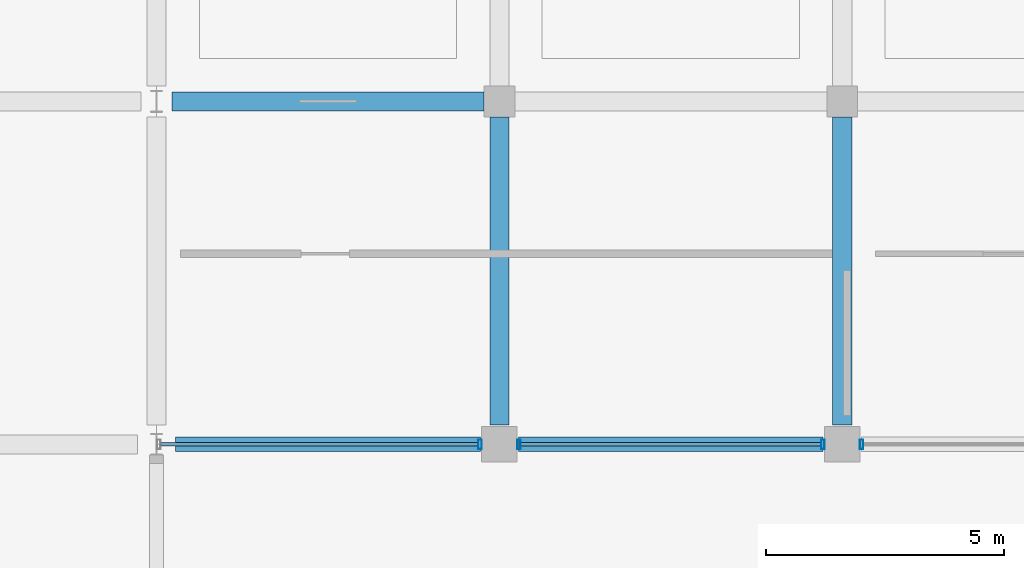
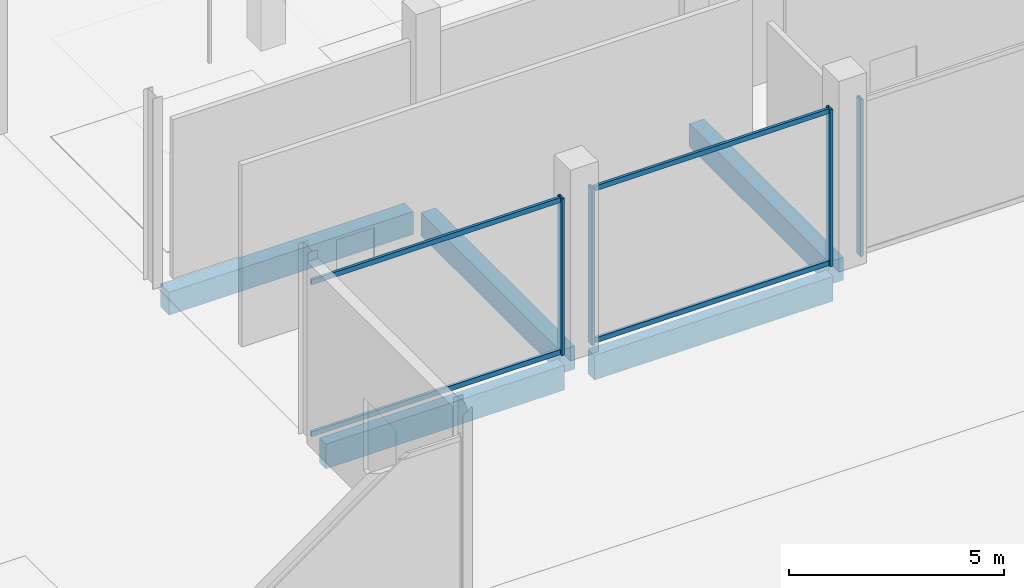
# One storey, part 30 of 90: 8 members, 5 beams, 3 elements without a shape of their own.
"""IFC4 building model written with IfcOpenShell, lengths in metres."""

from ifc_helpers import new_model, si_unit, direction, frame, origin, origin_2d, place, context, subcontext, project, spatial, rectangle, hollow_rectangle, extrude, material, layer, layer_set, material_profile, profile_set, type_object, element, aggregate, save


model = new_model("IFC4")

# Units and contexts
model_context = context("Model", 3, precision=1e-05, world=origin(), true_north=direction((0.0, 1.0)))
body_context = subcontext(model_context, "Body", "Model", "MODEL_VIEW")
ifc_project = project(units=[si_unit("LENGTHUNIT", "METRE"), si_unit("AREAUNIT", "SQUARE_METRE"), si_unit("VOLUMEUNIT", "CUBIC_METRE"), si_unit("PLANEANGLEUNIT", "RADIAN"), si_unit("MASSUNIT", "GRAM", prefix="KILO")], contexts=[model_context])

# Site, building, storey
site_placement = place(None, origin())
site = spatial("IfcSite", under=ifc_project, at=site_placement, CompositionType="ELEMENT")
building_placement = place(site_placement, origin())
building = spatial("IfcBuilding", under=site, at=building_placement, Name="Kangsadwip Square Police Headquarters", CompositionType="ELEMENT")
storey_placement = place(building_placement, origin())
storey = spatial("IfcBuildingStorey", under=building, at=storey_placement, Name="L00", CompositionType="ELEMENT", Elevation=0.0)

# Curtain wall, member
ifc_material_1 = material(Name="Thermally broken anodised aluminium AW-6063-T6", Category="aluminium")
ifc_layer_1 = layer(ifc_material_1, 0.159912109375)
ifc_layer_set_1 = layer_set([ifc_layer_1], Name="Thermally broken anodised aluminium AW-6063-T6")
curtain_wall_type_1 = type_object("IfcCurtainWallType", Name="CourtScreen6820x4450", PredefinedType="USERDEFINED", material=ifc_layer_set_1)
curtain_wall_1_placement = place(storey_placement, origin())
curtain_wall_1 = element("IfcCurtainWall", 1, at=curtain_wall_1_placement, inside=storey, type_object=curtain_wall_type_1, Name="Curtain Wall CW-L00-0936-0936", ObjectType="GLAZED_SCREEN", PredefinedType="USERDEFINED")
ifc_material_2 = material(Name="Thermally broken anodised aluminium AW-6063-T6", Category="aluminium")
ifc_material_profile_1 = material_profile(ifc_material_2, hollow_rectangle(XDim=0.074951171875, YDim=0.199951171875, WallThickness=0.0048828125, at=origin_2d()), Name="CWM 200X75X5")
ifc_profile_set_1 = profile_set([ifc_material_profile_1], Name="Thermally broken anodised aluminium AW-6063-T6")
member_type_1 = type_object("IfcMemberType", Name="CwMullion180x75", PredefinedType="MULLION", material=ifc_profile_set_1)
member_1_placement = place(storey_placement, frame((100.392578125, 93.60009765625, 0.0), z_axis=(0.0, 0.0, 1.0), x_axis=(1.0, 0.0, 0.0)))
member_1 = element("IfcMember", 2, at=member_1_placement, type_object=member_type_1, Name="CW-03 mullion 2", PredefinedType="MULLION", context=body_context, shape_type="SweptSolid", body=[
    extrude(hollow_rectangle(XDim=0.074951171875, YDim=0.199951171875, WallThickness=0.0048828125, at=origin_2d()), origin(), (0.0, 0.0, 1.0), 4.449951171875),
])

# Curtain wall, members
ifc_material_3 = material(Name="Thermally broken anodised aluminium AW-6063-T6", Category="aluminium")
ifc_layer_2 = layer(ifc_material_3, 0.159912109375)
ifc_layer_set_2 = layer_set([ifc_layer_2], Name="Thermally broken anodised aluminium AW-6063-T6")
curtain_wall_type_2 = type_object("IfcCurtainWallType", Name="CourtScreen6460x4450", PredefinedType="USERDEFINED", material=ifc_layer_set_2)
curtain_wall_2_placement = place(storey_placement, origin())
curtain_wall_2 = element("IfcCurtainWall", 3, at=curtain_wall_2_placement, inside=storey, type_object=curtain_wall_type_2, Name="Curtain Wall CW-L00-1012-0936", ObjectType="GLAZED_SCREEN", PredefinedType="USERDEFINED")
member_2_placement = place(storey_placement, frame((101.20751953125, 93.60009765625, 0.0), z_axis=(0.0, 0.0, 1.0), x_axis=(1.0, 0.0, 0.0)))
member_2 = element("IfcMember", 4, at=member_2_placement, type_object=member_type_1, Name="CW-04 mullion 1", PredefinedType="MULLION", context=body_context, shape_type="SweptSolid", body=[
    extrude(hollow_rectangle(XDim=0.074951171875, YDim=0.199951171875, WallThickness=0.0048828125, at=origin_2d()), origin(), (0.0, 0.0, 1.0), 4.449951171875),
])
member_3_placement = place(storey_placement, frame((107.592529296875, 93.60009765625, 0.0), z_axis=(0.0, 0.0, 1.0), x_axis=(1.0, 0.0, 0.0)))
member_3 = element("IfcMember", 5, at=member_3_placement, type_object=member_type_1, Name="CW-04 mullion 2", PredefinedType="MULLION", context=body_context, shape_type="SweptSolid", body=[
    extrude(hollow_rectangle(XDim=0.074951171875, YDim=0.199951171875, WallThickness=0.0048828125, at=origin_2d()), origin(), (0.0, 0.0, 1.0), 4.449951171875),
])

# Curtain wall, member
curtain_wall_3_placement = place(storey_placement, origin())
curtain_wall_3 = element("IfcCurtainWall", 6, at=curtain_wall_3_placement, inside=storey, type_object=curtain_wall_type_2, Name="Curtain Wall CW-L00-1084-0936", ObjectType="GLAZED_SCREEN", PredefinedType="USERDEFINED")
member_4_placement = place(storey_placement, frame((108.407470703125, 93.60009765625, 0.0), z_axis=(0.0, 0.0, 1.0), x_axis=(1.0, 0.0, 0.0)))
member_4 = element("IfcMember", 7, at=member_4_placement, type_object=member_type_1, Name="CW-04 mullion 1", PredefinedType="MULLION", context=body_context, shape_type="SweptSolid", body=[
    extrude(hollow_rectangle(XDim=0.074951171875, YDim=0.199951171875, WallThickness=0.0048828125, at=origin_2d()), origin(), (0.0, 0.0, 1.0), 4.449951171875),
])
aggregate(curtain_wall_3, [member_4])

# Member
ifc_material_4 = material(Name="Thermally broken anodised aluminium AW-6063-T6", Category="aluminium")
ifc_material_profile_2 = material_profile(ifc_material_4, hollow_rectangle(XDim=0.074951171875, YDim=0.139892578125, WallThickness=0.0048828125, at=origin_2d()), Name="CWT 140X75X5")
ifc_profile_set_2 = profile_set([ifc_material_profile_2], Name="Thermally broken anodised aluminium AW-6063-T6")
member_type_2 = type_object("IfcMemberType", Name="CwTransom160x65", PredefinedType="USERDEFINED", material=ifc_profile_set_2)
member_5_placement = place(storey_placement, frame((93.68505859375, 93.60009765625, 0.070068359375), z_axis=(1.0, 0.0, 0.0), x_axis=(0.0, 1.0, 0.0)))
member_5 = element("IfcMember", 8, at=member_5_placement, type_object=member_type_2, Name="CW-03 transom 1.1", ObjectType="TRANSOM", PredefinedType="USERDEFINED", context=body_context, shape_type="SweptSolid", body=[
    extrude(hollow_rectangle(XDim=0.074951171875, YDim=0.139892578125, WallThickness=0.0048828125, at=origin_2d()), origin(), (0.0, 0.0, 1.0), 6.669921875),
])

member_6_placement = place(storey_placement, frame((93.68505859375, 93.60009765625, 4.3798828125), z_axis=(1.0, 0.0, 0.0), x_axis=(0.0, 1.0, 0.0)))
member_6 = element("IfcMember", 9, at=member_6_placement, type_object=member_type_2, Name="CW-03 transom 1.2", ObjectType="TRANSOM", PredefinedType="USERDEFINED", context=body_context, shape_type="SweptSolid", body=[
    extrude(hollow_rectangle(XDim=0.074951171875, YDim=0.139892578125, WallThickness=0.0048828125, at=origin_2d()), origin(), (0.0, 0.0, 1.0), 6.669921875),
])

aggregate(curtain_wall_1, [member_1, member_5, member_6])

member_7_placement = place(storey_placement, frame((101.2451171875, 93.60009765625, 0.070068359375), z_axis=(1.0, 0.0, 0.0), x_axis=(0.0, 1.0, 0.0)))
member_7 = element("IfcMember", 10, at=member_7_placement, type_object=member_type_2, Name="CW-04 transom 1.1", ObjectType="TRANSOM", PredefinedType="USERDEFINED", context=body_context, shape_type="SweptSolid", body=[
    extrude(hollow_rectangle(XDim=0.074951171875, YDim=0.139892578125, WallThickness=0.0048828125, at=origin_2d()), origin(), (0.0, 0.0, 1.0), 6.309814453125),
])

member_8_placement = place(storey_placement, frame((101.2451171875, 93.60009765625, 4.3798828125), z_axis=(1.0, 0.0, 0.0), x_axis=(0.0, 1.0, 0.0)))
member_8 = element("IfcMember", 11, at=member_8_placement, type_object=member_type_2, Name="CW-04 transom 1.2", ObjectType="TRANSOM", PredefinedType="USERDEFINED", context=body_context, shape_type="SweptSolid", body=[
    extrude(hollow_rectangle(XDim=0.074951171875, YDim=0.139892578125, WallThickness=0.0048828125, at=origin_2d()), origin(), (0.0, 0.0, 1.0), 6.309814453125),
])

aggregate(curtain_wall_2, [member_2, member_3, member_7, member_8])

# Beams
ifc_material_5 = material(Name="Concrete M35 (35 MPa)", Category="concrete")
ifc_material_profile_3 = material_profile(ifc_material_5, rectangle(XDim=0.39990234375, YDim=0.64990234375, at=origin_2d()), Name="RC BM 650X400")
ifc_profile_set_3 = profile_set([ifc_material_profile_3], Name="Concrete M35 (35 MPa)")
beam_type_1 = type_object("IfcBeamType", Name="RcBeam650x400", PredefinedType="BEAM", material=ifc_profile_set_3)
beam_1_placement = place(storey_placement, frame((93.925048828125, 100.800048828125, -0.574951171875), z_axis=(1.0, 0.0, 0.0), x_axis=(0.0, 1.0, 0.0)))
element("IfcBeam", 12, at=beam_1_placement, inside=storey, type_object=beam_type_1, Name="Beam BM-L00-X-13-14", PredefinedType="BEAM", context=body_context, shape_type="SweptSolid", body=[
    extrude(rectangle(XDim=0.39990234375, YDim=0.64990234375, at=origin_2d()), origin(), (0.0, 0.0, 1.0), 6.550048828125),
])
for number, where, z_axis, x_axis, name in (
    (13, (100.800048828125, 94.0, -0.574951171875), (0.0, 1.0, 0.0), (-1.0, 0.0, 0.0), "Beam BM-L00-Y-14-13"),
    (14, (108.0, 94.0, -0.574951171875), (0.0, 1.0, 0.0), (-1.0, 0.0, 0.0), "Beam BM-L00-Y-15-13"),
):
    element("IfcBeam", number, at=place(storey_placement, frame(where, z_axis=z_axis, x_axis=x_axis)), inside=storey, type_object=beam_type_1, Name=name, PredefinedType="BEAM", context=body_context, shape_type="SweptSolid", body=[
        extrude(rectangle(XDim=0.39990234375, YDim=0.64990234375, at=origin_2d()), origin(), (0.0, 0.0, 1.0), 6.47509765625),
    ])
ifc_material_6 = material(Name="Concrete M40 (40 MPa)", Category="concrete")
ifc_material_profile_4 = material_profile(ifc_material_6, rectangle(XDim=0.300048828125, YDim=0.699951171875, at=origin_2d()), Name="RC SPN 700X300")
ifc_profile_set_4 = profile_set([ifc_material_profile_4], Name="Concrete M40 (40 MPa)")
beam_type_2 = type_object("IfcBeamType", Name="RcSpandrel700x300", PredefinedType="SPANDREL", material=ifc_profile_set_4)
beam_2_placement = place(storey_placement, frame((94.0, 93.60009765625, -0.60009765625), z_axis=(1.0, 0.0, 0.0), x_axis=(0.0, 1.0, 0.0)))
element("IfcBeam", 15, at=beam_2_placement, inside=storey, type_object=beam_type_2, Name="Beam BM-L00-X-13-13", PredefinedType="SPANDREL", context=body_context, shape_type="SweptSolid", body=[
    extrude(rectangle(XDim=0.300048828125, YDim=0.699951171875, at=origin_2d()), origin(), (0.0, 0.0, 1.0), 6.39990234375),
])
beam_3_placement = place(storey_placement, frame((101.199951171875, 93.60009765625, -0.60009765625), z_axis=(1.0, 0.0, 0.0), x_axis=(0.0, 1.0, 0.0)))
element("IfcBeam", 16, at=beam_3_placement, inside=storey, type_object=beam_type_2, Name="Beam BM-L00-X-14-13", PredefinedType="SPANDREL", context=body_context, shape_type="SweptSolid", body=[
    extrude(rectangle(XDim=0.300048828125, YDim=0.699951171875, at=origin_2d()), origin(), (0.0, 0.0, 1.0), 6.400146484375),
])

save(model, "model.ifc")
